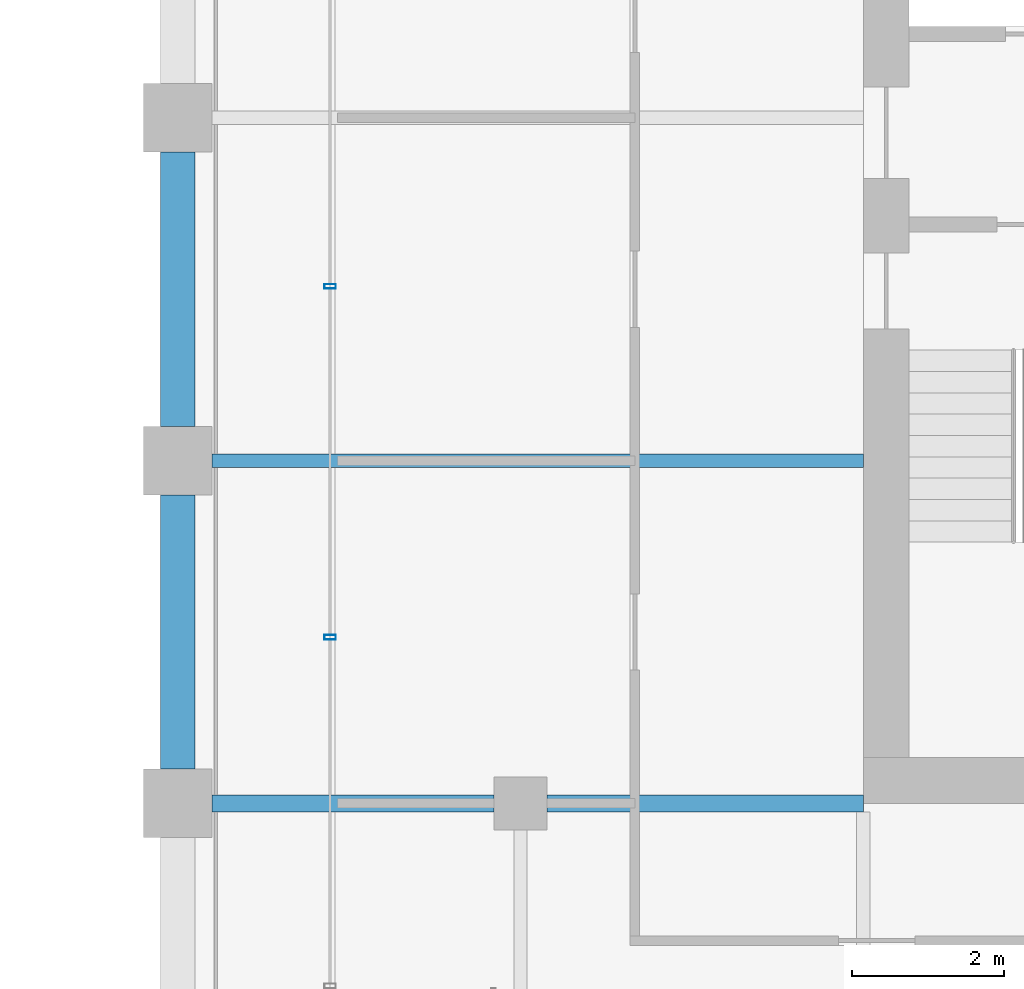
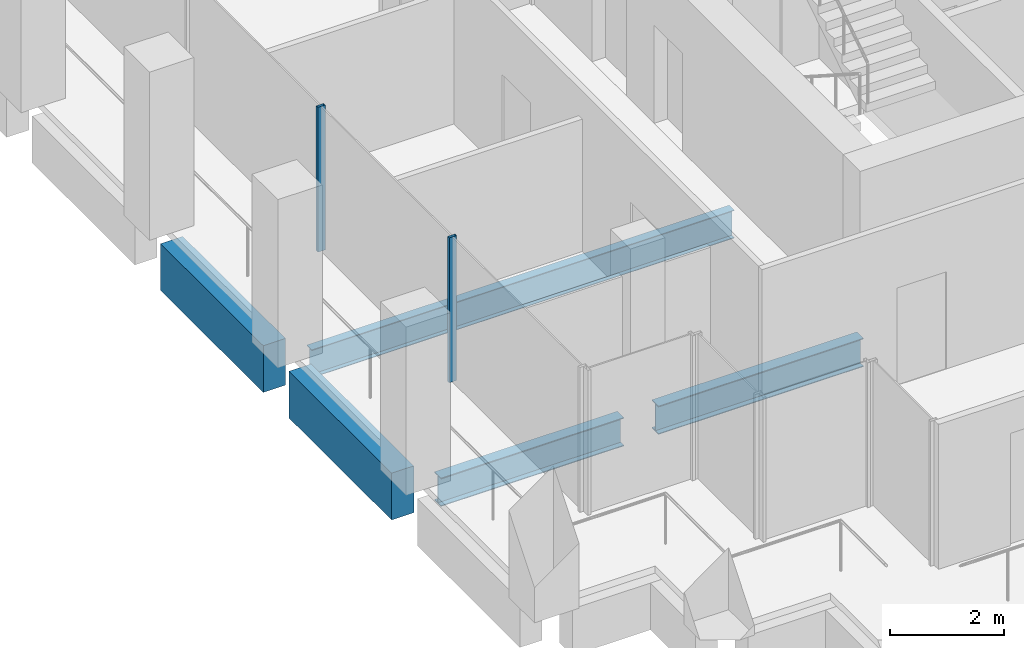
# One storey, part 30 of 40: 5 beams, 2 members, 1 element without a shape of its own.
"""IFC4 building model written with IfcOpenShell, lengths in metres."""

import ifcopenshell
import ifcopenshell.guid

model = None  # the IFC model being written
_history = None  # IfcOwnerHistory: only IFC2X3 demands one
_inside = {}  # id of a spatial element -> (the spatial element, [elements in it])
_under = {}  # id of a project, library or spatial element -> (it, [spatial elements below it])
_declared = {}  # id of a project -> (the project, [libraries it declares])
_typed = {}  # id of a type object -> (the type object, [elements of that type])
_made_of = {}  # id of a material, layer set ... -> (it, [elements and type objects made of it])


def new_model(schema):
    """Start an empty IFC model of exactly this schema.

    Asked for "IFC4X3", IfcOpenShell would pick the latest addendum, in which some entities
    have other attributes; the version numbers below select the first issue.
    IFC2X3 requires an IfcOwnerHistory on every rooted entity: one is made here for all.
    """
    global model, _history
    if schema == "IFC4X3":
        model = ifcopenshell.file(schema_version=(4, 3, 0, 0))
    else:
        model = ifcopenshell.file(schema=schema)
    _inside.clear()
    _under.clear()
    _declared.clear()
    _typed.clear()
    _made_of.clear()
    _history = None
    if model.schema == "IFC2X3":
        org = make("IfcOrganization", Name="unknown")
        user = make(
            "IfcPersonAndOrganization",
            ThePerson=make("IfcPerson", FamilyName="unknown"),
            TheOrganization=org,
        )
        app = make(
            "IfcApplication",
            ApplicationDeveloper=org,
            Version="unknown",
            ApplicationFullName="unknown",
            ApplicationIdentifier="unknown",
        )
        _history = make(
            "IfcOwnerHistory",
            OwningUser=user,
            OwningApplication=app,
            ChangeAction="ADDED",
            CreationDate=0,
        )
    return model


def make(cls, **values):
    """One entity of the class cls with the attributes given. An attribute that is None is left unset."""
    return model.create_entity(
        cls, **{name: value for name, value in values.items() if value is not None}
    )


def rooted(cls, **values):
    """An entity with a GlobalId (a new one), such as an element, a storey or a relation."""
    return make(cls, GlobalId=ifcopenshell.guid.new(), OwnerHistory=_history, **values)


def si_unit(unit_type, name, prefix=None):
    """IfcSIUnit, for example si_unit("LENGTHUNIT", "METRE", prefix="MILLI")."""
    return make("IfcSIUnit", UnitType=unit_type, Prefix=prefix, Name=name)


def assignment(units):
    """IfcUnitAssignment: the units of a project."""
    return None if units is None else make("IfcUnitAssignment", Units=units)


def point(xyz):
    """IfcCartesianPoint."""
    return None if xyz is None else make("IfcCartesianPoint", Coordinates=xyz)


def direction(xyz):
    """IfcDirection."""
    return None if xyz is None else make("IfcDirection", DirectionRatios=xyz)


def frame(location, z_axis=None, x_axis=None):
    """IfcAxis2Placement3D, a coordinate frame: its origin and axes. An axis left out is left unset."""
    return make(
        "IfcAxis2Placement3D",
        Location=point(location),
        Axis=direction(z_axis),
        RefDirection=direction(x_axis),
    )


def frame_2d(location, x_axis=None):
    """IfcAxis2Placement2D, a coordinate frame in the plane: its origin and x axis."""
    return make(
        "IfcAxis2Placement2D", Location=point(location), RefDirection=direction(x_axis)
    )


def origin():
    """The frame at (0, 0, 0) with its axes left unset."""
    return frame((0.0, 0.0, 0.0))


def origin_2d():
    """The frame at (0, 0) in the plane with its x axis left unset."""
    return frame_2d((0.0, 0.0))


def place(relative_to, where):
    """IfcLocalPlacement: puts the frame where relative to a parent placement (None: the world)."""
    return make(
        "IfcLocalPlacement", PlacementRelTo=relative_to, RelativePlacement=where
    )


def context(
    kind, dimensions, precision=None, world=None, true_north=None, identifier=None
):
    """IfcGeometricRepresentationContext, for example the 3D "Model" context."""
    return make(
        "IfcGeometricRepresentationContext",
        ContextIdentifier=identifier,
        ContextType=kind,
        CoordinateSpaceDimension=dimensions,
        Precision=precision,
        WorldCoordinateSystem=world,
        TrueNorth=true_north,
    )


def subcontext(parent, identifier, kind, view, scale=None):
    """IfcGeometricRepresentationSubContext, for example "Body" below "Model"."""
    return make(
        "IfcGeometricRepresentationSubContext",
        ContextIdentifier=identifier,
        ContextType=kind,
        ParentContext=parent,
        TargetScale=scale,
        TargetView=view,
    )


def project(units=None, contexts=None):
    """IfcProject with its units and contexts."""
    return rooted(
        "IfcProject",
        Name="project",
        RepresentationContexts=contexts,
        UnitsInContext=assignment(units),
    )


def spatial(cls, under=None, at=None, **own):
    """A site, building, storey or space (cls), placed at a placement, below another one or the project."""
    s = rooted(cls, ObjectPlacement=at, **own)
    if under is not None:
        _under.setdefault(under.id(), (under, []))[1].append(s)
    return s


def profile(cls, at=None, kind="AREA", **sizes):
    """A parametric profile (cls). Its sizes go by their IFC names, for example OverallWidth=200.0."""
    return make(cls, ProfileType=kind, Position=at, **sizes)


def rectangle(**sizes):
    """IfcRectangleProfileDef."""
    return profile("IfcRectangleProfileDef", **sizes)


def hollow_rectangle(**sizes):
    """IfcRectangleHollowProfileDef."""
    return profile("IfcRectangleHollowProfileDef", **sizes)


def i_section(**sizes):
    """IfcIShapeProfileDef."""
    return profile("IfcIShapeProfileDef", **sizes)


def extrude(swept, where, along, depth):
    """IfcExtrudedAreaSolid: the profile swept, set in the frame where, extruded along a direction by depth."""
    return make(
        "IfcExtrudedAreaSolid",
        SweptArea=swept,
        Position=where,
        ExtrudedDirection=direction(along),
        Depth=depth,
    )


def shape(context_of_items, identifier, shape_type, items):
    """IfcShapeRepresentation: the items that make up one representation, for example the "Body"."""
    return make(
        "IfcShapeRepresentation",
        ContextOfItems=context_of_items,
        RepresentationIdentifier=identifier,
        RepresentationType=shape_type,
        Items=items,
    )


def material(Name=None, Category=None):
    """IfcMaterial."""
    return make("IfcMaterial", Name=Name, Category=Category)


def material_profile(
    of_material, cross_section, Name=None, Category=None, Priority=None
):
    """IfcMaterialProfile: a cross section and its material."""
    return make(
        "IfcMaterialProfile",
        Name=Name,
        Material=of_material,
        Profile=cross_section,
        Priority=Priority,
        Category=Category,
    )


def profile_set(profiles, Name=None, composite=None):
    """IfcMaterialProfileSet."""
    return make(
        "IfcMaterialProfileSet",
        Name=Name,
        MaterialProfiles=profiles,
        CompositeProfile=composite,
    )


def made_of(thing, what):
    """Note that an element or type object is made of a material, layer set ...; save() writes the relation."""
    if what is not None:
        _made_of.setdefault(what.id(), (what, []))[1].append(thing)
    return thing


def type_object(cls, material=None, **own):
    """A type object (cls), such as IfcWallType, which elements share."""
    return made_of(rooted(cls, **own), material)


def element(
    cls,
    number,
    at=None,
    inside=None,
    cuts=None,
    type_object=None,
    material=None,
    context=None,
    identifier="Body",
    shape_type=None,
    held_by="IfcProductDefinitionShape",
    body=None,
    shapes=None,
    **own,
):
    """One element of the class cls, such as IfcWall. Its Tag is "e" and its number.

    at: its placement. inside: the storey or other place that contains it. cuts: it is an
    opening in that element (IfcRelVoidsElement). A single representation is given by context,
    identifier, shape_type and body (its items); several are given by shapes. held_by: the class
    of the entity that holds the representations. save() writes the other relations.
    """
    e = rooted(cls, Tag="e%d" % number, ObjectPlacement=at, **own)
    if body is not None:
        shapes = [shape(context, identifier, shape_type, body)]
    if shapes is not None:
        e.Representation = make(held_by, Representations=shapes)
    if inside is not None:
        _inside.setdefault(inside.id(), (inside, []))[1].append(e)
    if cuts is not None:
        rooted(
            "IfcRelVoidsElement", RelatingBuildingElement=cuts, RelatedOpeningElement=e
        )
    if type_object is not None:
        _typed.setdefault(type_object.id(), (type_object, []))[1].append(e)
    return made_of(e, material)


def aggregate(whole, parts):
    """IfcRelAggregates: a whole, such as a stair, and the parts it consists of."""
    return rooted("IfcRelAggregates", RelatingObject=whole, RelatedObjects=parts)


def save(model, path):
    """Write the relations noted so far, then the file.

    IfcRelAggregates (storeys below a building ...), IfcRelContainedInSpatialStructure (elements
    in a storey), IfcRelDefinesByType, IfcRelAssociatesMaterial and IfcRelDeclares: one each for
    every whole, place, type object, material and project.
    """
    for whole, parts in _under.values():
        aggregate(whole, parts)
    for where, things in _inside.values():
        rooted(
            "IfcRelContainedInSpatialStructure",
            RelatedElements=things,
            RelatingStructure=where,
        )
    for kind, things in _typed.values():
        rooted("IfcRelDefinesByType", RelatedObjects=things, RelatingType=kind)
    for what, things in _made_of.values():
        rooted("IfcRelAssociatesMaterial", RelatedObjects=things, RelatingMaterial=what)
    for by, libraries in _declared.values():
        rooted("IfcRelDeclares", RelatingContext=by, RelatedDefinitions=libraries)
    model.write(path)


model = new_model("IFC4")

# Units and contexts
model_context = context("Model", 3, precision=1e-05, world=origin(), true_north=direction((0.0, 1.0)))
body_context = subcontext(model_context, "Body", "Model", "MODEL_VIEW")
ifc_project = project(units=[si_unit("LENGTHUNIT", "METRE"), si_unit("AREAUNIT", "SQUARE_METRE"), si_unit("VOLUMEUNIT", "CUBIC_METRE"), si_unit("PLANEANGLEUNIT", "RADIAN"), si_unit("MASSUNIT", "GRAM", prefix="KILO")], contexts=[model_context])

# Site, building, storey
site_placement = place(None, origin())
site = spatial("IfcSite", under=ifc_project, at=site_placement, CompositionType="ELEMENT")
building_placement = place(site_placement, origin())
building = spatial("IfcBuilding", under=site, at=building_placement, Name="Altepetl Exchange Towers", CompositionType="ELEMENT")
storey_placement = place(building_placement, frame((0.0, 0.0, 172.60009765625)))
storey = spatial("IfcBuildingStorey", under=building, at=storey_placement, Name="L43", CompositionType="ELEMENT", Elevation=172.60009765625)

# Beams
ifc_material_1 = material(Name="Steel S355", Category="steel")
ifc_material_profile_1 = material_profile(ifc_material_1, i_section(OverallWidth=0.177978515625, OverallDepth=0.59912109375, WebThickness=0.010009765625, FlangeThickness=0.0126953125, at=origin_2d()), Name="W24X55")
ifc_profile_set_1 = profile_set([ifc_material_profile_1], Name="Steel S355")
beam_type_1 = type_object("IfcBeamType", Name="Floor beam W24X55", PredefinedType="BEAM", material=ifc_profile_set_1)
beam_1_placement = place(storey_placement, frame((94.949951171875, 40.5, -0.44970703125), z_axis=(1.0, 0.0, 0.0), x_axis=(0.0, 1.0, 0.0)))
element("IfcBeam", 1, at=beam_1_placement, inside=storey, type_object=beam_type_1, Name="bm:B:L43:004", PredefinedType="BEAM", context=body_context, shape_type="SweptSolid", body=[
    extrude(i_section(OverallWidth=0.177978515625, OverallDepth=0.59912109375, WebThickness=0.010009765625, FlangeThickness=0.0126953125, at=origin_2d()), origin(), (0.0, 0.0, 1.0), 8.550048828125),
])
ifc_material_profile_2 = material_profile(ifc_material_1, i_section(OverallWidth=0.22802734375, OverallDepth=0.60791015625, WebThickness=0.01123046875, FlangeThickness=0.017333984375, at=origin_2d()), Name="W24X76")
ifc_profile_set_2 = profile_set([ifc_material_profile_2], Name="Steel S355")
beam_type_2 = type_object("IfcBeamType", Name="Girder W24X76", PredefinedType="BEAM", material=ifc_profile_set_2)
beam_2_placement = place(storey_placement, frame((103.5, 36.0, -0.4541015625), z_axis=(-1.0, 0.0, 0.0), x_axis=(0.0, -1.0, 0.0)))
element("IfcBeam", 2, at=beam_2_placement, inside=storey, type_object=beam_type_2, Name="gd:B:L43:000", PredefinedType="BEAM", context=body_context, shape_type="SweptSolid", body=[
    extrude(i_section(OverallWidth=0.22802734375, OverallDepth=0.60791015625, WebThickness=0.01123046875, FlangeThickness=0.017333984375, at=origin_2d()), origin(), (0.0, 0.0, 1.0), 4.14990234375),
])
beam_3_placement = place(storey_placement, frame((98.64990234375, 36.0, -0.4541015625), z_axis=(-1.0, 0.0, 0.0), x_axis=(0.0, -1.0, 0.0)))
element("IfcBeam", 3, at=beam_3_placement, inside=storey, type_object=beam_type_2, Name="gd:B:L43:001", PredefinedType="BEAM", context=body_context, shape_type="SweptSolid", body=[
    extrude(i_section(OverallWidth=0.22802734375, OverallDepth=0.60791015625, WebThickness=0.01123046875, FlangeThickness=0.017333984375, at=origin_2d()), origin(), (0.0, 0.0, 1.0), 3.699951171875),
])

# Curtain wall, members
ifc_material_2 = material(Name="Aluminium 6063-T6 glazing", Category="aluminium")
curtain_wall_type = type_object("IfcCurtainWallType", Name="Loggia glazing system", PredefinedType="NOTDEFINED", material=ifc_material_2)
curtain_wall_placement = place(storey_placement, origin())
curtain_wall = element("IfcCurtainWall", 4, at=curtain_wall_placement, inside=storey, type_object=curtain_wall_type, Name="CW1 run", PredefinedType="NOTDEFINED")
ifc_material_3 = material(Name="Aluminium 6063-T6", Category="aluminium")
ifc_material_profile_3 = material_profile(ifc_material_3, hollow_rectangle(XDim=0.06005859375, YDim=0.14990234375, WallThickness=0.0029296875, at=origin_2d()), Name="Mullion 60x150 aluminium")
ifc_profile_set_3 = profile_set([ifc_material_profile_3], Name="Aluminium 6063-T6")
member_type = type_object("IfcMemberType", Name="Mullion 60x150 aluminium", PredefinedType="MULLION", material=ifc_profile_set_3)
member_1_placement = place(storey_placement, frame((96.5, 42.78759765625, 0.0), z_axis=(0.0, 0.0, 1.0), x_axis=(0.0, -1.0, 0.0)))
member_1 = element("IfcMember", 5, at=member_1_placement, type_object=member_type, Name="MU1 mullion", PredefinedType="MULLION", context=body_context, shape_type="SweptSolid", body=[
    extrude(hollow_rectangle(XDim=0.06005859375, YDim=0.14990234375, WallThickness=0.0029296875, at=origin_2d()), origin(), (0.0, 0.0, 1.0), 3.099853515625),
])
member_2_placement = place(storey_placement, frame((96.5, 38.18115234375, 0.0), z_axis=(0.0, 0.0, 1.0), x_axis=(0.0, -1.0, 0.0)))
member_2 = element("IfcMember", 6, at=member_2_placement, type_object=member_type, Name="MU1 mullion", PredefinedType="MULLION", context=body_context, shape_type="SweptSolid", body=[
    extrude(hollow_rectangle(XDim=0.06005859375, YDim=0.14990234375, WallThickness=0.0029296875, at=origin_2d()), origin(), (0.0, 0.0, 1.0), 3.099853515625),
])
aggregate(curtain_wall, [member_1, member_2])

# Beams
ifc_material_4 = material(Name="Concrete C50/60 precast with cantera rosa facing", Category="concrete")
ifc_material_profile_4 = material_profile(ifc_material_4, rectangle(XDim=0.449951171875, YDim=1.0, at=origin_2d()), Name="450 x 1000")
ifc_profile_set_4 = profile_set([ifc_material_profile_4], Name="Concrete C50/60 precast with cantera rosa facing")
beam_type_3 = type_object("IfcBeamType", Name="Spandrel beam 450x1000 cantera rosa", PredefinedType="SPANDREL", material=ifc_profile_set_4)
for number, where, z_axis, x_axis, name in (
    (7, (94.5, 44.550048828125, -0.650146484375), (0.0, -1.0, 0.0), (1.0, 0.0, 0.0), "sp:B:L43:017"),
    (8, (94.5, 40.050048828125, -0.650146484375), (0.0, -1.0, 0.0), (1.0, 0.0, 0.0), "sp:B:L43:018"),
):
    element("IfcBeam", number, at=place(storey_placement, frame(where, z_axis=z_axis, x_axis=x_axis)), inside=storey, type_object=beam_type_3, Name=name, PredefinedType="SPANDREL", context=body_context, shape_type="SweptSolid", body=[
        extrude(rectangle(XDim=0.449951171875, YDim=1.0, at=origin_2d()), origin(), (0.0, 0.0, 1.0), 3.60009765625),
    ])

save(model, "model.ifc")
